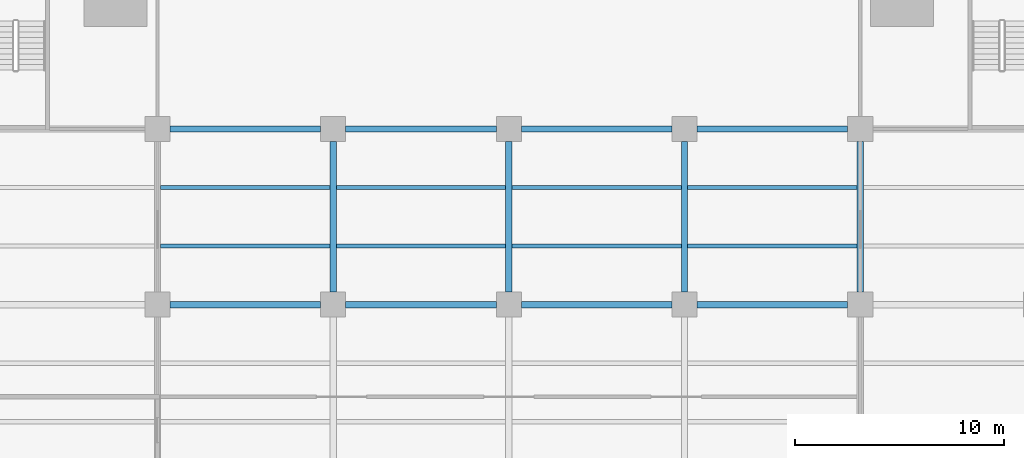
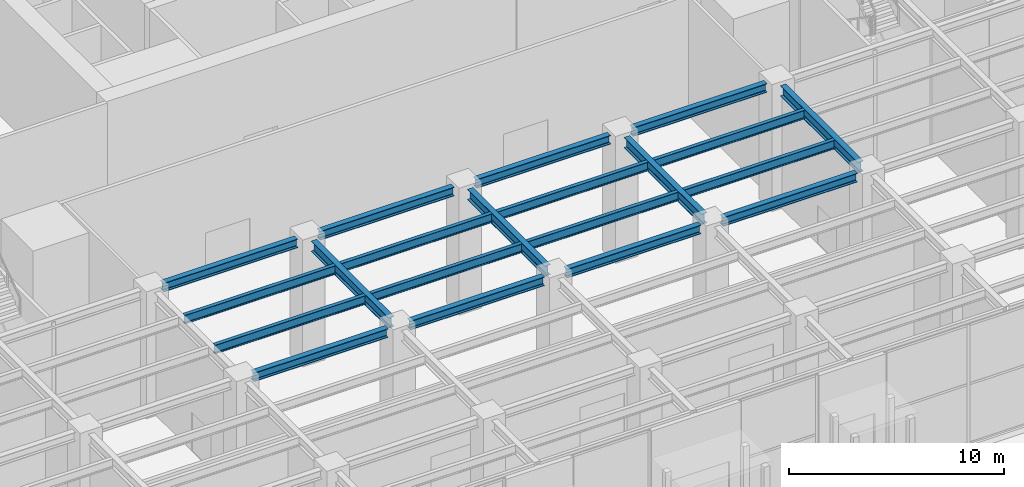
# One storey, part 8 of 43: 20 beams.
"""IFC4 building model written with IfcOpenShell, lengths in metres."""

from ifc_helpers import new_model, si_unit, direction, frame, origin, origin_2d, place, context, subcontext, project, spatial, i_section, extrude, material, material_profile, profile_set, type_object, element, save


model = new_model("IFC4")

# Units and contexts
model_context = context("Model", 3, precision=1e-05, world=origin(), true_north=direction((0.0, 1.0)))
body_context = subcontext(model_context, "Body", "Model", "MODEL_VIEW")
ifc_project = project(units=[si_unit("LENGTHUNIT", "METRE"), si_unit("AREAUNIT", "SQUARE_METRE"), si_unit("VOLUMEUNIT", "CUBIC_METRE"), si_unit("PLANEANGLEUNIT", "RADIAN"), si_unit("MASSUNIT", "GRAM", prefix="KILO")], contexts=[model_context])

# Site, building, storey
site_placement = place(None, origin())
site = spatial("IfcSite", under=ifc_project, at=site_placement, CompositionType="ELEMENT")
building_placement = place(site_placement, origin())
building = spatial("IfcBuilding", under=site, at=building_placement, Name="Khepri Terraces", CompositionType="ELEMENT")
storey_placement = place(building_placement, origin())
storey = spatial("IfcBuildingStorey", under=building, at=storey_placement, Name="L00", CompositionType="ELEMENT", Elevation=0.0)

# Beams
ifc_material = material(Name="Steel S355", Category="steel")
ifc_material_profile_1 = material_profile(ifc_material, i_section(OverallWidth=0.300048828125, OverallDepth=0.60009765625, WebThickness=0.015380859375, FlangeThickness=0.030029296875, FilletRadius=0.027099609375, at=origin_2d()), Name="Steel S355", Category="steel")
ifc_profile_set_1 = profile_set([ifc_material_profile_1], Name="Steel S355")
beam_type_1 = type_object("IfcBeamType", Name="Podium girder L01 HEB 600", PredefinedType="BEAM", material=ifc_profile_set_1)
for number, where, z_axis, x_axis, name in (
    (1, (-8.39990234375, -33.0, 6.699951171875), (0.0, 1.0, 0.0), (-1.0, 0.0, 0.0), "Podium girder L01 043"),
    (2, (0.0, -33.0, 6.699951171875), (0.0, 1.0, 0.0), (-1.0, 0.0, 0.0), "Podium girder L01 049"),
    (3, (8.39990234375, -33.0, 6.699951171875), (0.0, 1.0, 0.0), (-1.0, 0.0, 0.0), "Podium girder L01 055"),
    (4, (16.800048828125, -33.0, 6.699951171875), (0.0, 1.0, 0.0), (-1.0, 0.0, 0.0), "Podium girder L01 061"),
):
    element("IfcBeam", number, at=place(storey_placement, frame(where, z_axis=z_axis, x_axis=x_axis)), inside=storey, type_object=beam_type_1, Name=name, PredefinedType="BEAM", context=body_context, shape_type="SweptSolid", body=[
        extrude(i_section(OverallWidth=0.300048828125, OverallDepth=0.60009765625, WebThickness=0.015380859375, FlangeThickness=0.030029296875, FilletRadius=0.027099609375, at=origin_2d()), origin(), (0.0, 0.0, 1.0), 7.199951171875),
    ])
ifc_material_profile_2 = material_profile(ifc_material, i_section(OverallWidth=0.300048828125, OverallDepth=0.5, WebThickness=0.014404296875, FlangeThickness=0.028076171875, FilletRadius=0.027099609375, at=origin_2d()), Name="Steel S355", Category="steel")
ifc_profile_set_2 = profile_set([ifc_material_profile_2], Name="Steel S355")
beam_type_2 = type_object("IfcBeamType", Name="Podium girder L01 grid line HEB 500", PredefinedType="BEAM", material=ifc_profile_set_2)
for number, where, z_axis, x_axis, name in (
    (5, (-16.199951171875, -33.60009765625, 6.75), (1.0, 0.0, 0.0), (0.0, 1.0, 0.0), "Podium grid-line girder L01 053"),
    (6, (-7.800048828125, -33.60009765625, 6.75), (1.0, 0.0, 0.0), (0.0, 1.0, 0.0), "Podium grid-line girder L01 054"),
    (7, (0.60009765625, -33.60009765625, 6.75), (1.0, 0.0, 0.0), (0.0, 1.0, 0.0), "Podium grid-line girder L01 055"),
    (8, (9.0, -33.60009765625, 6.75), (1.0, 0.0, 0.0), (0.0, 1.0, 0.0), "Podium grid-line girder L01 056"),
    (9, (-16.199951171875, -25.199951171875, 6.75), (1.0, 0.0, 0.0), (0.0, 1.0, 0.0), "Podium grid-line girder L01 088"),
    (10, (-7.800048828125, -25.199951171875, 6.75), (1.0, 0.0, 0.0), (0.0, 1.0, 0.0), "Podium grid-line girder L01 089"),
    (11, (0.60009765625, -25.199951171875, 6.75), (1.0, 0.0, 0.0), (0.0, 1.0, 0.0), "Podium grid-line girder L01 090"),
    (12, (9.0, -25.199951171875, 6.75), (1.0, 0.0, 0.0), (0.0, 1.0, 0.0), "Podium grid-line girder L01 091"),
):
    element("IfcBeam", number, at=place(storey_placement, frame(where, z_axis=z_axis, x_axis=x_axis)), inside=storey, type_object=beam_type_2, Name=name, PredefinedType="BEAM", context=body_context, shape_type="SweptSolid", body=[
        extrude(i_section(OverallWidth=0.300048828125, OverallDepth=0.5, WebThickness=0.014404296875, FlangeThickness=0.028076171875, FilletRadius=0.027099609375, at=origin_2d()), origin(), (0.0, 0.0, 1.0), 7.199951171875),
    ])
ifc_material_profile_3 = material_profile(ifc_material, i_section(OverallWidth=0.199951171875, OverallDepth=0.5, WebThickness=0.01025390625, FlangeThickness=0.01611328125, FilletRadius=0.02099609375, at=origin_2d()), Name="Steel S355", Category="steel")
ifc_profile_set_3 = profile_set([ifc_material_profile_3], Name="Steel S355")
beam_type_3 = type_object("IfcBeamType", Name="Podium joist L01 IPE 500", PredefinedType="JOIST", material=ifc_profile_set_3)
beam_1_placement = place(storey_placement, frame((-16.64990234375, -30.800048828125, 6.75), z_axis=(1.0, 0.0, 0.0), x_axis=(0.0, 1.0, 0.0)))
element("IfcBeam", 13, at=beam_1_placement, inside=storey, type_object=beam_type_3, Name="Podium joist L01 065", PredefinedType="JOIST", context=body_context, shape_type="SweptSolid", body=[
    extrude(i_section(OverallWidth=0.199951171875, OverallDepth=0.5, WebThickness=0.01025390625, FlangeThickness=0.01611328125, FilletRadius=0.02099609375, at=origin_2d()), origin(), (0.0, 0.0, 1.0), 8.099853515625),
])
for number, where, z_axis, x_axis, name in (
    (14, (-8.25, -30.800048828125, 6.75), (1.0, 0.0, 0.0), (0.0, 1.0, 0.0), "Podium joist L01 066"),
    (15, (0.14990234375, -30.800048828125, 6.75), (1.0, 0.0, 0.0), (0.0, 1.0, 0.0), "Podium joist L01 067"),
):
    element("IfcBeam", number, at=place(storey_placement, frame(where, z_axis=z_axis, x_axis=x_axis)), inside=storey, type_object=beam_type_3, Name=name, PredefinedType="JOIST", context=body_context, shape_type="SweptSolid", body=[
        extrude(i_section(OverallWidth=0.199951171875, OverallDepth=0.5, WebThickness=0.01025390625, FlangeThickness=0.01611328125, FilletRadius=0.02099609375, at=origin_2d()), origin(), (0.0, 0.0, 1.0), 8.10009765625),
    ])
for number, where, z_axis, x_axis, name in (
    (16, (8.550048828125, -30.800048828125, 6.75), (1.0, 0.0, 0.0), (0.0, 1.0, 0.0), "Podium joist L01 068"),
    (17, (-16.64990234375, -28.0, 6.75), (1.0, 0.0, 0.0), (0.0, 1.0, 0.0), "Podium joist L01 077"),
):
    element("IfcBeam", number, at=place(storey_placement, frame(where, z_axis=z_axis, x_axis=x_axis)), inside=storey, type_object=beam_type_3, Name=name, PredefinedType="JOIST", context=body_context, shape_type="SweptSolid", body=[
        extrude(i_section(OverallWidth=0.199951171875, OverallDepth=0.5, WebThickness=0.01025390625, FlangeThickness=0.01611328125, FilletRadius=0.02099609375, at=origin_2d()), origin(), (0.0, 0.0, 1.0), 8.099853515625),
    ])
for number, where, z_axis, x_axis, name in (
    (18, (-8.25, -28.0, 6.75), (1.0, 0.0, 0.0), (0.0, 1.0, 0.0), "Podium joist L01 078"),
    (19, (0.14990234375, -28.0, 6.75), (1.0, 0.0, 0.0), (0.0, 1.0, 0.0), "Podium joist L01 079"),
):
    element("IfcBeam", number, at=place(storey_placement, frame(where, z_axis=z_axis, x_axis=x_axis)), inside=storey, type_object=beam_type_3, Name=name, PredefinedType="JOIST", context=body_context, shape_type="SweptSolid", body=[
        extrude(i_section(OverallWidth=0.199951171875, OverallDepth=0.5, WebThickness=0.01025390625, FlangeThickness=0.01611328125, FilletRadius=0.02099609375, at=origin_2d()), origin(), (0.0, 0.0, 1.0), 8.10009765625),
    ])
beam_2_placement = place(storey_placement, frame((8.550048828125, -28.0, 6.75), z_axis=(1.0, 0.0, 0.0), x_axis=(0.0, 1.0, 0.0)))
element("IfcBeam", 20, at=beam_2_placement, inside=storey, type_object=beam_type_3, Name="Podium joist L01 080", PredefinedType="JOIST", context=body_context, shape_type="SweptSolid", body=[
    extrude(i_section(OverallWidth=0.199951171875, OverallDepth=0.5, WebThickness=0.01025390625, FlangeThickness=0.01611328125, FilletRadius=0.02099609375, at=origin_2d()), origin(), (0.0, 0.0, 1.0), 8.099853515625),
])

save(model, "model.ifc")
